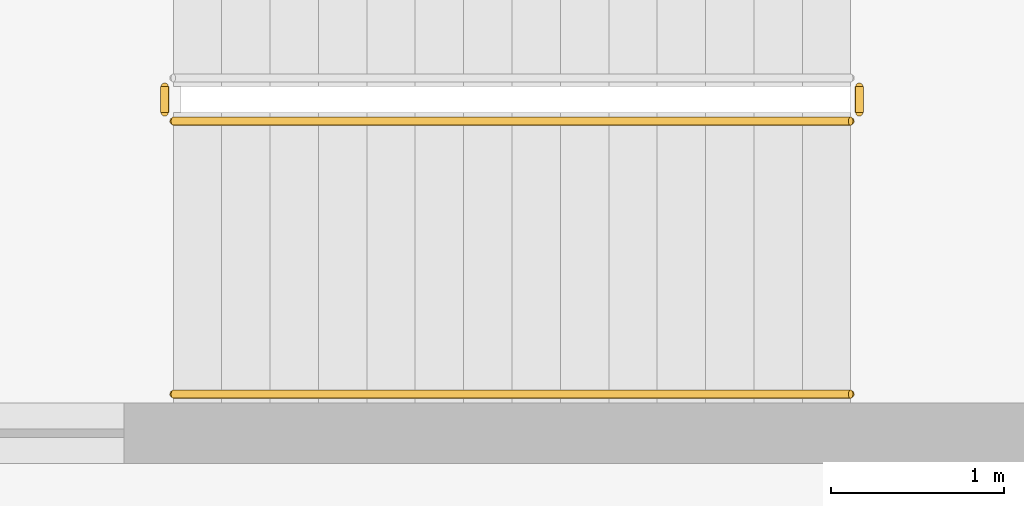
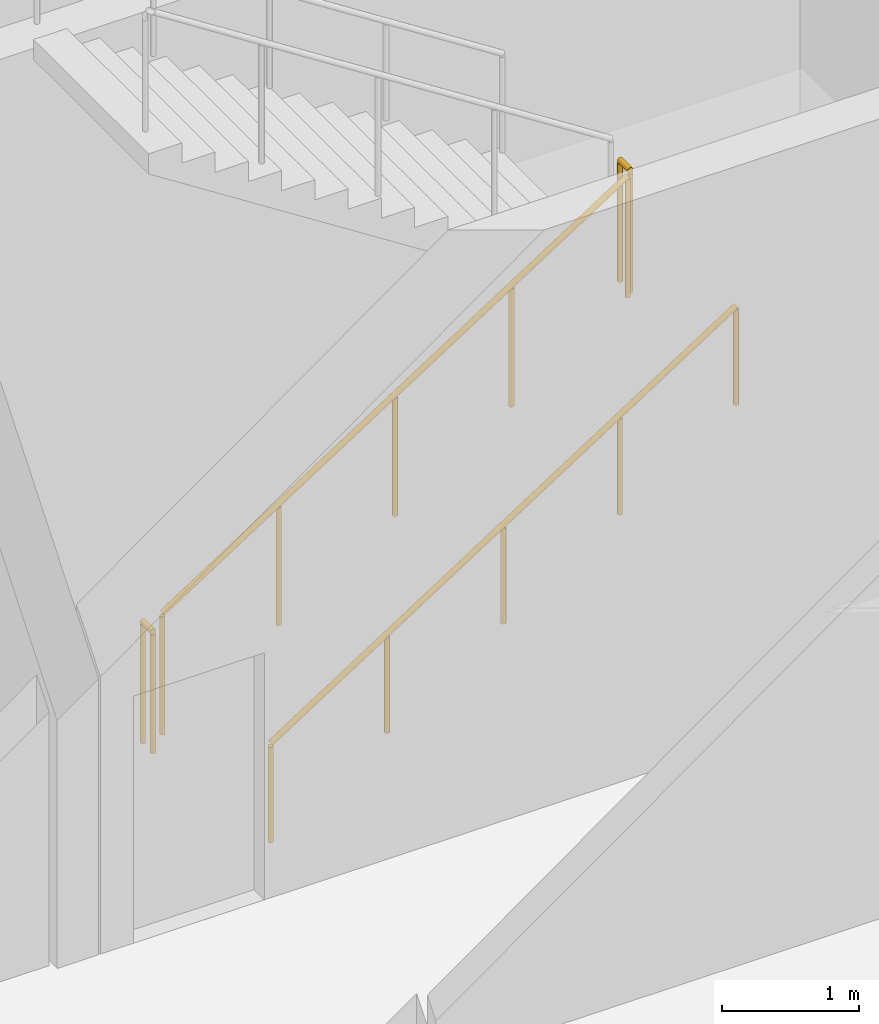
# One storey, part 40 of 47: 4 railings.
"""IFC4 building model written with IfcOpenShell, lengths in metres."""

from ifc_helpers import new_model, si_unit, direction, frame, origin, origin_2d, place, context, subcontext, project, spatial, circle, extrude, material, type_object, element, save


model = new_model("IFC4")

# Units and contexts
model_context = context("Model", 3, precision=1e-05, world=origin(), true_north=direction((0.0, 1.0)))
body_context = subcontext(model_context, "Body", "Model", "MODEL_VIEW")
ifc_project = project(units=[si_unit("LENGTHUNIT", "METRE"), si_unit("AREAUNIT", "SQUARE_METRE"), si_unit("VOLUMEUNIT", "CUBIC_METRE"), si_unit("PLANEANGLEUNIT", "RADIAN"), si_unit("MASSUNIT", "GRAM", prefix="KILO")], contexts=[model_context])

# Site, building, storey
site_placement = place(None, origin())
site = spatial("IfcSite", under=ifc_project, at=site_placement, CompositionType="ELEMENT")
building_placement = place(site_placement, origin())
building = spatial("IfcBuilding", under=site, at=building_placement, Name="Qorvath Tower", CompositionType="ELEMENT")
storey_placement = place(building_placement, frame((0.0, 0.0, 6.60009765625)))
storey = spatial("IfcBuildingStorey", under=building, at=storey_placement, Name="L01", CompositionType="ELEMENT", Elevation=6.60009765625)

# Railings
ifc_material_1 = material(Name="Painted galvanised steel", Category="steel")
railing_type_1 = type_object("IfcRailingType", Name="RL-STR-GRD", PredefinedType="GUARDRAIL", material=ifc_material_1)
railing_1_placement = place(storey_placement, frame((-22.669921875, -6.570068359375, 0.179931640625)))
element("IfcRailing", 1, at=railing_1_placement, inside=storey, type_object=railing_type_1, Name="L01 TS2 stair guard 1", PredefinedType="GUARDRAIL", context=body_context, shape_type="SweptSolid", body=[
    extrude(circle(Radius=0.02392578125, at=origin_2d()), frame((0.0, 0.0, 1.076171875), z_axis=(0.841171666519, 0.0, 0.540768182723), x_axis=(0.0, 1.0, 0.0)), (0.0, 0.0, 1.0), 4.66015625),
    extrude(circle(Radius=0.02099609375, at=origin_2d()), origin(), (0.0, 0.0, 1.0), 1.052001953125),
    extrude(circle(Radius=0.02099609375, at=origin_2d()), frame((0.97998046875, 0.0, 0.6298828125)), (0.0, 0.0, 1.0), 1.052001953125),
    extrude(circle(Radius=0.02099609375, at=origin_2d()), frame((1.9599609375, 0.0, 1.260009765625)), (0.0, 0.0, 1.0), 1.052001953125),
    extrude(circle(Radius=0.02099609375, at=origin_2d()), frame((2.93994140625, 0.0, 1.89013671875)), (0.0, 0.0, 1.0), 1.052001953125),
    extrude(circle(Radius=0.02099609375, at=origin_2d()), frame((3.919921875, 0.0, 2.52001953125)), (0.0, 0.0, 1.0), 1.052001953125),
])
for number, where, name in (
    (2, (-18.699951171875, -6.52001953125, 2.699951171875), "L01 TS2 stair guard 2"),
    (3, (-22.719970703125, -6.52001953125, 0.0), "L01 TS2 stair guard 4"),
):
    element("IfcRailing", number, at=place(storey_placement, frame(where)), inside=storey, type_object=railing_type_1, Name=name, PredefinedType="GUARDRAIL", context=body_context, shape_type="SweptSolid", body=[
        extrude(circle(Radius=0.02392578125, at=origin_2d()), frame((0.0, 0.0, 1.076171875), z_axis=(0.0, 1.0, 0.0), x_axis=(-1.0, 0.0, 0.0)), (0.0, 0.0, 1.0), 0.14990234375),
        extrude(circle(Radius=0.02099609375, at=origin_2d()), origin(), (0.0, 0.0, 1.0), 1.052001953125),
        extrude(circle(Radius=0.02099609375, at=origin_2d()), frame((0.0, 0.14990234375, 0.0)), (0.0, 0.0, 1.0), 1.052001953125),
    ])
ifc_material_2 = material(Name="Brushed stainless steel AISI 304", Category="steel")
railing_type_2 = type_object("IfcRailingType", Name="RL-STR-HND", PredefinedType="HANDRAIL", material=ifc_material_2)
railing_2_placement = place(storey_placement, frame((-22.669921875, -8.14990234375, 0.179931640625)))
element("IfcRailing", 4, at=railing_2_placement, inside=storey, type_object=railing_type_2, Name="L01 TS2 stair handrail 1", PredefinedType="HANDRAIL", context=body_context, shape_type="SweptSolid", body=[
    extrude(circle(Radius=0.02392578125, at=origin_2d()), frame((0.0, 0.0, 0.8759765625), z_axis=(0.841171666519, 0.0, 0.540768182723), x_axis=(0.0, 1.0, 0.0)), (0.0, 0.0, 1.0), 4.66015625),
    extrude(circle(Radius=0.02099609375, at=origin_2d()), origin(), (0.0, 0.0, 1.0), 0.851806640625),
    extrude(circle(Radius=0.02099609375, at=origin_2d()), frame((0.97998046875, 0.0, 0.6298828125)), (0.0, 0.0, 1.0), 0.851806640625),
    extrude(circle(Radius=0.02099609375, at=origin_2d()), frame((1.9599609375, 0.0, 1.260009765625)), (0.0, 0.0, 1.0), 0.851806640625),
    extrude(circle(Radius=0.02099609375, at=origin_2d()), frame((2.93994140625, 0.0, 1.89013671875)), (0.0, 0.0, 1.0), 0.851806640625),
    extrude(circle(Radius=0.02099609375, at=origin_2d()), frame((3.919921875, 0.0, 2.52001953125)), (0.0, 0.0, 1.0), 0.851806640625),
])

save(model, "model.ifc")
